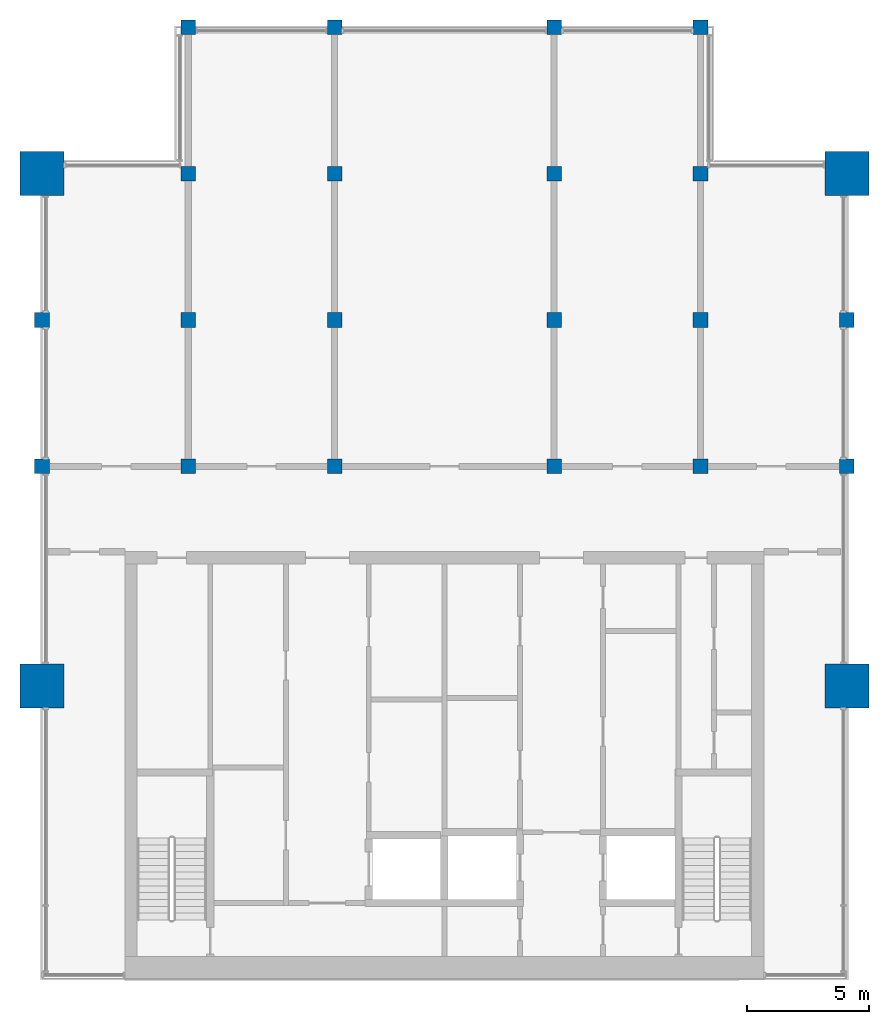
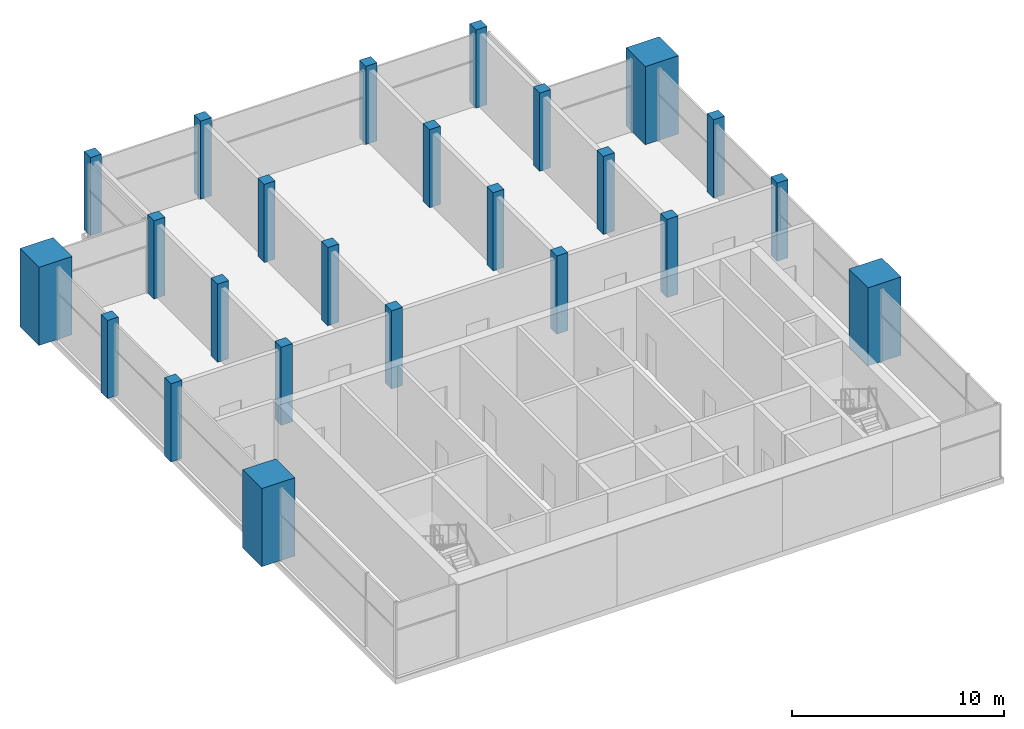
# One storey, part 1 of 9: 24 columns.
"""IFC4 building model written with IfcOpenShell, lengths in metres."""

import ifcopenshell
import ifcopenshell.guid

model = None  # the IFC model being written
_history = None  # IfcOwnerHistory: only IFC2X3 demands one
_inside = {}  # id of a spatial element -> (the spatial element, [elements in it])
_under = {}  # id of a project, library or spatial element -> (it, [spatial elements below it])
_declared = {}  # id of a project -> (the project, [libraries it declares])
_typed = {}  # id of a type object -> (the type object, [elements of that type])
_made_of = {}  # id of a material, layer set ... -> (it, [elements and type objects made of it])


def new_model(schema):
    """Start an empty IFC model of exactly this schema.

    Asked for "IFC4X3", IfcOpenShell would pick the latest addendum, in which some entities
    have other attributes; the version numbers below select the first issue.
    IFC2X3 requires an IfcOwnerHistory on every rooted entity: one is made here for all.
    """
    global model, _history
    if schema == "IFC4X3":
        model = ifcopenshell.file(schema_version=(4, 3, 0, 0))
    else:
        model = ifcopenshell.file(schema=schema)
    _inside.clear()
    _under.clear()
    _declared.clear()
    _typed.clear()
    _made_of.clear()
    _history = None
    if model.schema == "IFC2X3":
        org = make("IfcOrganization", Name="unknown")
        user = make(
            "IfcPersonAndOrganization",
            ThePerson=make("IfcPerson", FamilyName="unknown"),
            TheOrganization=org,
        )
        app = make(
            "IfcApplication",
            ApplicationDeveloper=org,
            Version="unknown",
            ApplicationFullName="unknown",
            ApplicationIdentifier="unknown",
        )
        _history = make(
            "IfcOwnerHistory",
            OwningUser=user,
            OwningApplication=app,
            ChangeAction="ADDED",
            CreationDate=0,
        )
    return model


def make(cls, **values):
    """One entity of the class cls with the attributes given. An attribute that is None is left unset."""
    return model.create_entity(
        cls, **{name: value for name, value in values.items() if value is not None}
    )


def rooted(cls, **values):
    """An entity with a GlobalId (a new one), such as an element, a storey or a relation."""
    return make(cls, GlobalId=ifcopenshell.guid.new(), OwnerHistory=_history, **values)


def si_unit(unit_type, name, prefix=None):
    """IfcSIUnit, for example si_unit("LENGTHUNIT", "METRE", prefix="MILLI")."""
    return make("IfcSIUnit", UnitType=unit_type, Prefix=prefix, Name=name)


def assignment(units):
    """IfcUnitAssignment: the units of a project."""
    return None if units is None else make("IfcUnitAssignment", Units=units)


def point(xyz):
    """IfcCartesianPoint."""
    return None if xyz is None else make("IfcCartesianPoint", Coordinates=xyz)


def direction(xyz):
    """IfcDirection."""
    return None if xyz is None else make("IfcDirection", DirectionRatios=xyz)


def frame(location, z_axis=None, x_axis=None):
    """IfcAxis2Placement3D, a coordinate frame: its origin and axes. An axis left out is left unset."""
    return make(
        "IfcAxis2Placement3D",
        Location=point(location),
        Axis=direction(z_axis),
        RefDirection=direction(x_axis),
    )


def frame_2d(location, x_axis=None):
    """IfcAxis2Placement2D, a coordinate frame in the plane: its origin and x axis."""
    return make(
        "IfcAxis2Placement2D", Location=point(location), RefDirection=direction(x_axis)
    )


def origin():
    """The frame at (0, 0, 0) with its axes left unset."""
    return frame((0.0, 0.0, 0.0))


def origin_2d():
    """The frame at (0, 0) in the plane with its x axis left unset."""
    return frame_2d((0.0, 0.0))


def place(relative_to, where):
    """IfcLocalPlacement: puts the frame where relative to a parent placement (None: the world)."""
    return make(
        "IfcLocalPlacement", PlacementRelTo=relative_to, RelativePlacement=where
    )


def context(
    kind, dimensions, precision=None, world=None, true_north=None, identifier=None
):
    """IfcGeometricRepresentationContext, for example the 3D "Model" context."""
    return make(
        "IfcGeometricRepresentationContext",
        ContextIdentifier=identifier,
        ContextType=kind,
        CoordinateSpaceDimension=dimensions,
        Precision=precision,
        WorldCoordinateSystem=world,
        TrueNorth=true_north,
    )


def subcontext(parent, identifier, kind, view, scale=None):
    """IfcGeometricRepresentationSubContext, for example "Body" below "Model"."""
    return make(
        "IfcGeometricRepresentationSubContext",
        ContextIdentifier=identifier,
        ContextType=kind,
        ParentContext=parent,
        TargetScale=scale,
        TargetView=view,
    )


def project(units=None, contexts=None):
    """IfcProject with its units and contexts."""
    return rooted(
        "IfcProject",
        Name="project",
        RepresentationContexts=contexts,
        UnitsInContext=assignment(units),
    )


def spatial(cls, under=None, at=None, **own):
    """A site, building, storey or space (cls), placed at a placement, below another one or the project."""
    s = rooted(cls, ObjectPlacement=at, **own)
    if under is not None:
        _under.setdefault(under.id(), (under, []))[1].append(s)
    return s


def profile(cls, at=None, kind="AREA", **sizes):
    """A parametric profile (cls). Its sizes go by their IFC names, for example OverallWidth=200.0."""
    return make(cls, ProfileType=kind, Position=at, **sizes)


def rectangle(**sizes):
    """IfcRectangleProfileDef."""
    return profile("IfcRectangleProfileDef", **sizes)


def extrude(swept, where, along, depth):
    """IfcExtrudedAreaSolid: the profile swept, set in the frame where, extruded along a direction by depth."""
    return make(
        "IfcExtrudedAreaSolid",
        SweptArea=swept,
        Position=where,
        ExtrudedDirection=direction(along),
        Depth=depth,
    )


def shape(context_of_items, identifier, shape_type, items):
    """IfcShapeRepresentation: the items that make up one representation, for example the "Body"."""
    return make(
        "IfcShapeRepresentation",
        ContextOfItems=context_of_items,
        RepresentationIdentifier=identifier,
        RepresentationType=shape_type,
        Items=items,
    )


def material(Name=None, Category=None):
    """IfcMaterial."""
    return make("IfcMaterial", Name=Name, Category=Category)


def material_profile(
    of_material, cross_section, Name=None, Category=None, Priority=None
):
    """IfcMaterialProfile: a cross section and its material."""
    return make(
        "IfcMaterialProfile",
        Name=Name,
        Material=of_material,
        Profile=cross_section,
        Priority=Priority,
        Category=Category,
    )


def profile_set(profiles, Name=None, composite=None):
    """IfcMaterialProfileSet."""
    return make(
        "IfcMaterialProfileSet",
        Name=Name,
        MaterialProfiles=profiles,
        CompositeProfile=composite,
    )


def made_of(thing, what):
    """Note that an element or type object is made of a material, layer set ...; save() writes the relation."""
    if what is not None:
        _made_of.setdefault(what.id(), (what, []))[1].append(thing)
    return thing


def type_object(cls, material=None, **own):
    """A type object (cls), such as IfcWallType, which elements share."""
    return made_of(rooted(cls, **own), material)


def element(
    cls,
    number,
    at=None,
    inside=None,
    cuts=None,
    type_object=None,
    material=None,
    context=None,
    identifier="Body",
    shape_type=None,
    held_by="IfcProductDefinitionShape",
    body=None,
    shapes=None,
    **own,
):
    """One element of the class cls, such as IfcWall. Its Tag is "e" and its number.

    at: its placement. inside: the storey or other place that contains it. cuts: it is an
    opening in that element (IfcRelVoidsElement). A single representation is given by context,
    identifier, shape_type and body (its items); several are given by shapes. held_by: the class
    of the entity that holds the representations. save() writes the other relations.
    """
    e = rooted(cls, Tag="e%d" % number, ObjectPlacement=at, **own)
    if body is not None:
        shapes = [shape(context, identifier, shape_type, body)]
    if shapes is not None:
        e.Representation = make(held_by, Representations=shapes)
    if inside is not None:
        _inside.setdefault(inside.id(), (inside, []))[1].append(e)
    if cuts is not None:
        rooted(
            "IfcRelVoidsElement", RelatingBuildingElement=cuts, RelatedOpeningElement=e
        )
    if type_object is not None:
        _typed.setdefault(type_object.id(), (type_object, []))[1].append(e)
    return made_of(e, material)


def aggregate(whole, parts):
    """IfcRelAggregates: a whole, such as a stair, and the parts it consists of."""
    return rooted("IfcRelAggregates", RelatingObject=whole, RelatedObjects=parts)


def save(model, path):
    """Write the relations noted so far, then the file.

    IfcRelAggregates (storeys below a building ...), IfcRelContainedInSpatialStructure (elements
    in a storey), IfcRelDefinesByType, IfcRelAssociatesMaterial and IfcRelDeclares: one each for
    every whole, place, type object, material and project.
    """
    for whole, parts in _under.values():
        aggregate(whole, parts)
    for where, things in _inside.values():
        rooted(
            "IfcRelContainedInSpatialStructure",
            RelatedElements=things,
            RelatingStructure=where,
        )
    for kind, things in _typed.values():
        rooted("IfcRelDefinesByType", RelatedObjects=things, RelatingType=kind)
    for what, things in _made_of.values():
        rooted("IfcRelAssociatesMaterial", RelatedObjects=things, RelatingMaterial=what)
    for by, libraries in _declared.values():
        rooted("IfcRelDeclares", RelatingContext=by, RelatedDefinitions=libraries)
    model.write(path)


model = new_model("IFC4")

# Units and contexts
model_context = context("Model", 3, precision=1e-05, world=origin(), true_north=direction((0.0, 1.0)))
body_context = subcontext(model_context, "Body", "Model", "MODEL_VIEW")
ifc_project = project(units=[si_unit("LENGTHUNIT", "METRE"), si_unit("AREAUNIT", "SQUARE_METRE"), si_unit("VOLUMEUNIT", "CUBIC_METRE"), si_unit("PLANEANGLEUNIT", "RADIAN"), si_unit("MASSUNIT", "GRAM", prefix="KILO")], contexts=[model_context])

# Site, building, storey
site_placement = place(None, origin())
site = spatial("IfcSite", under=ifc_project, at=site_placement, CompositionType="ELEMENT")
building_placement = place(site_placement, origin())
building = spatial("IfcBuilding", under=site, at=building_placement, Name="Finial Court Residences", CompositionType="ELEMENT")
storey_placement = place(building_placement, frame((0.0, 0.0, 303.199951171875)))
storey = spatial("IfcBuildingStorey", under=building, at=storey_placement, Name="L77", CompositionType="ELEMENT", Elevation=303.199951171875)

# Columns
ifc_material = material(Name="Concrete C40/50", Category="concrete")
ifc_material_profile_1 = material_profile(ifc_material, rectangle(XDim=0.60009765625, YDim=0.60009765625, at=origin_2d()), Name="600x600")
ifc_profile_set_1 = profile_set([ifc_material_profile_1], Name="Concrete C40/50")
column_type_1 = type_object("IfcColumnType", Name="Interior column 600x600 Concrete C40/50", PredefinedType="COLUMN", material=ifc_profile_set_1)
for number, where, z_axis, x_axis, name in (
    (1, (-10.5, -4.5, 0.0), (0.0, 0.0, 1.0), (1.0, 0.0, 0.0), "S:COL:L77:D4"),
    (2, (-10.5, 1.5, 0.0), (0.0, 0.0, 1.0), (1.0, 0.0, 0.0), "S:COL:L77:D5"),
    (3, (-4.5, -4.5, 0.0), (0.0, 0.0, 1.0), (1.0, 0.0, 0.0), "S:COL:L77:E4"),
    (4, (-4.5, 1.5, 0.0), (0.0, 0.0, 1.0), (1.0, 0.0, 0.0), "S:COL:L77:E5"),
    (5, (-4.5, 7.5, 0.0), (0.0, 0.0, 1.0), (1.0, 0.0, 0.0), "S:COL:L77:E6"),
    (6, (4.5, -4.5, 0.0), (0.0, 0.0, 1.0), (1.0, 0.0, 0.0), "S:COL:L77:F4"),
    (7, (4.5, 1.5, 0.0), (0.0, 0.0, 1.0), (1.0, 0.0, 0.0), "S:COL:L77:F5"),
    (8, (4.5, 7.5, 0.0), (0.0, 0.0, 1.0), (1.0, 0.0, 0.0), "S:COL:L77:F6"),
    (9, (10.5, -4.5, 0.0), (0.0, 0.0, 1.0), (1.0, 0.0, 0.0), "S:COL:L77:G4"),
    (10, (10.5, 1.5, 0.0), (0.0, 0.0, 1.0), (1.0, 0.0, 0.0), "S:COL:L77:G5"),
):
    element("IfcColumn", number, at=place(storey_placement, frame(where, z_axis=z_axis, x_axis=x_axis)), inside=storey, type_object=column_type_1, Name=name, PredefinedType="COLUMN", context=body_context, shape_type="SweptSolid", body=[
        extrude(rectangle(XDim=0.60009765625, YDim=0.60009765625, at=origin_2d()), origin(), (0.0, 0.0, 1.0), 4.5),
    ])
ifc_material_profile_2 = material_profile(ifc_material, rectangle(XDim=1.800048828125, YDim=1.800048828125, at=origin_2d()), Name="1800x1800")
ifc_profile_set_2 = profile_set([ifc_material_profile_2], Name="Concrete C40/50")
column_type_2 = type_object("IfcColumnType", Name="Mega column 1800x1800 Concrete C40/50", PredefinedType="COLUMN", material=ifc_profile_set_2)
for number, where, z_axis, x_axis, name in (
    (11, (-16.5, -13.5, 0.0), (0.0, 0.0, 1.0), (1.0, 0.0, 0.0), "S:COL:L77:C3"),
    (12, (-16.5, 7.5, 0.0), (0.0, 0.0, 1.0), (1.0, 0.0, 0.0), "S:COL:L77:C6"),
    (13, (16.5, -13.5, 0.0), (0.0, 0.0, 1.0), (1.0, 0.0, 0.0), "S:COL:L77:H3"),
    (14, (16.5, 7.5, 0.0), (0.0, 0.0, 1.0), (1.0, 0.0, 0.0), "S:COL:L77:H6"),
):
    element("IfcColumn", number, at=place(storey_placement, frame(where, z_axis=z_axis, x_axis=x_axis)), inside=storey, type_object=column_type_2, Name=name, PredefinedType="COLUMN", context=body_context, shape_type="SweptSolid", body=[
        extrude(rectangle(XDim=1.800048828125, YDim=1.800048828125, at=origin_2d()), origin(), (0.0, 0.0, 1.0), 4.5),
    ])
ifc_material_profile_3 = material_profile(ifc_material, rectangle(XDim=0.60009765625, YDim=0.60009765625, at=origin_2d()), Name="600x600")
ifc_profile_set_3 = profile_set([ifc_material_profile_3], Name="Concrete C40/50")
column_type_3 = type_object("IfcColumnType", Name="Perimeter column 600x600 Concrete C40/50", PredefinedType="COLUMN", material=ifc_profile_set_3)
for number, where, z_axis, x_axis, name in (
    (15, (-16.5, -4.5, 0.0), (0.0, 0.0, 1.0), (1.0, 0.0, 0.0), "S:COL:L77:C4"),
    (16, (-16.5, 1.5, 0.0), (0.0, 0.0, 1.0), (1.0, 0.0, 0.0), "S:COL:L77:C5"),
    (17, (-10.5, 7.5, 0.0), (0.0, 0.0, 1.0), (1.0, 0.0, 0.0), "S:COL:L77:D6"),
    (18, (-10.5, 13.5, 0.0), (0.0, 0.0, 1.0), (1.0, 0.0, 0.0), "S:COL:L77:D7"),
    (19, (-4.5, 13.5, 0.0), (0.0, 0.0, 1.0), (1.0, 0.0, 0.0), "S:COL:L77:E7"),
    (20, (4.5, 13.5, 0.0), (0.0, 0.0, 1.0), (1.0, 0.0, 0.0), "S:COL:L77:F7"),
    (21, (10.5, 7.5, 0.0), (0.0, 0.0, 1.0), (1.0, 0.0, 0.0), "S:COL:L77:G6"),
    (22, (10.5, 13.5, 0.0), (0.0, 0.0, 1.0), (1.0, 0.0, 0.0), "S:COL:L77:G7"),
    (23, (16.5, -4.5, 0.0), (0.0, 0.0, 1.0), (1.0, 0.0, 0.0), "S:COL:L77:H4"),
    (24, (16.5, 1.5, 0.0), (0.0, 0.0, 1.0), (1.0, 0.0, 0.0), "S:COL:L77:H5"),
):
    element("IfcColumn", number, at=place(storey_placement, frame(where, z_axis=z_axis, x_axis=x_axis)), inside=storey, type_object=column_type_3, Name=name, PredefinedType="COLUMN", context=body_context, shape_type="SweptSolid", body=[
        extrude(rectangle(XDim=0.60009765625, YDim=0.60009765625, at=origin_2d()), origin(), (0.0, 0.0, 1.0), 4.5),
    ])

save(model, "model.ifc")
